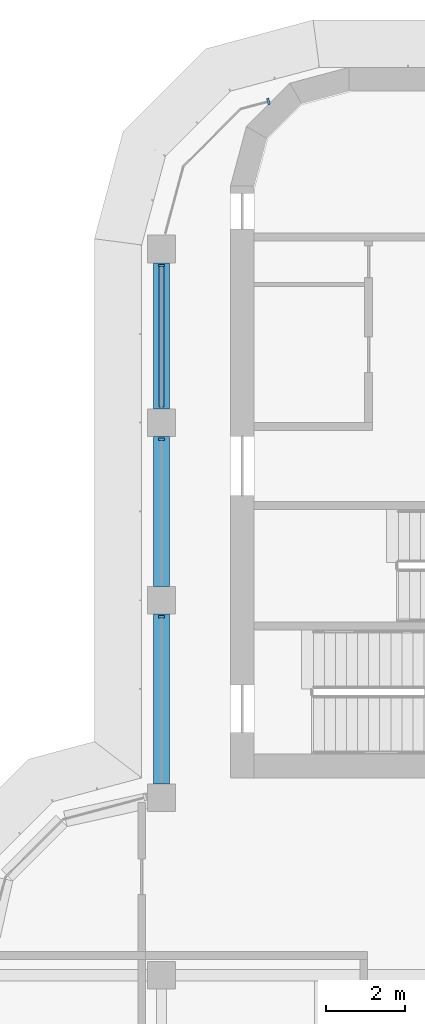
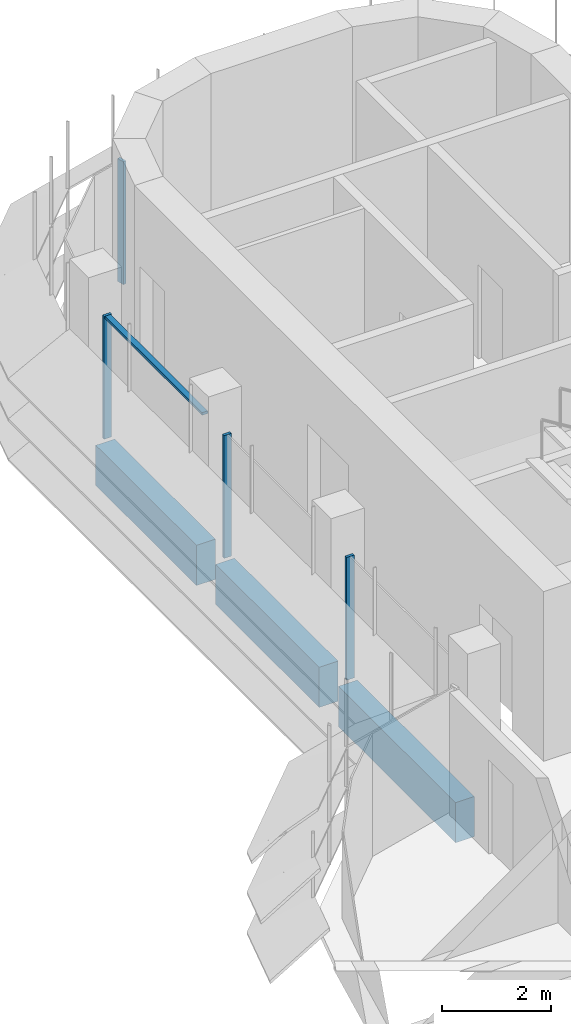
# One storey, part 7 of 19: 5 members, 3 beams, 2 elements without a shape of their own.
"""IFC4 building model written with IfcOpenShell, lengths in metres."""

from ifc_helpers import new_model, si_unit, direction, frame, origin, origin_2d, place, context, subcontext, project, spatial, polyline, rectangle, outline, extrude, source, transform, mapped, material, material_profile, profile_set, type_object, element, aggregate, save


model = new_model("IFC4")

# Units and contexts
model_context = context("Model", 3, precision=1e-05, world=origin(), true_north=direction((0.0, 1.0)))
body_context = subcontext(model_context, "Body", "Model", "MODEL_VIEW")
ifc_project = project(units=[si_unit("LENGTHUNIT", "METRE"), si_unit("AREAUNIT", "SQUARE_METRE"), si_unit("VOLUMEUNIT", "CUBIC_METRE"), si_unit("PLANEANGLEUNIT", "RADIAN"), si_unit("MASSUNIT", "GRAM", prefix="KILO")], contexts=[model_context])

# Site, building, storey
site_placement = place(None, origin())
site = spatial("IfcSite", under=ifc_project, at=site_placement, CompositionType="ELEMENT")
building_placement = place(site_placement, origin())
building = spatial("IfcBuilding", under=site, at=building_placement, Name="Zarbagh Exchange Tower", CompositionType="ELEMENT")
storey_placement = place(building_placement, frame((0.0, 0.0, 241.0)))
storey = spatial("IfcBuildingStorey", under=building, at=storey_placement, Name="L59", CompositionType="ELEMENT", Elevation=241.0)

# Beams
ifc_material_1 = material(Name="Concrete C50/60", Category="concrete")
ifc_material_profile = material_profile(ifc_material_1, rectangle(XDim=0.39990234375, YDim=0.89990234375, at=origin_2d()), Name="RC spandrel beam 400 x 900 C50/60")
ifc_profile_set = profile_set([ifc_material_profile], Name="Concrete C50/60")
beam_type = type_object("IfcBeamType", Name="RC spandrel beam 400 x 900 C50/60", PredefinedType="SPANDREL", material=ifc_profile_set)
beam_1_placement = place(storey_placement, frame((-6.25, 11.10009765625, -0.60009765625), z_axis=(0.0, 1.0, 0.0), x_axis=(-1.0, 0.0, 0.0)))
element("IfcBeam", 1, at=beam_1_placement, inside=storey, type_object=beam_type, Name="RC spandrel beam", PredefinedType="SPANDREL", context=body_context, shape_type="SweptSolid", body=[
    extrude(rectangle(XDim=0.39990234375, YDim=0.89990234375, at=origin_2d()), origin(), (0.0, 0.0, 1.0), 4.2998046875),
])
beam_2_placement = place(storey_placement, frame((-6.25, 16.10009765625, -0.60009765625), z_axis=(0.0, 1.0, 0.0), x_axis=(-1.0, 0.0, 0.0)))
element("IfcBeam", 2, at=beam_2_placement, inside=storey, type_object=beam_type, Name="RC spandrel beam", PredefinedType="SPANDREL", context=body_context, shape_type="SweptSolid", body=[
    extrude(rectangle(XDim=0.39990234375, YDim=0.89990234375, at=origin_2d()), origin(), (0.0, 0.0, 1.0), 3.7998046875),
])
beam_3_placement = place(storey_placement, frame((-6.25, 20.60009765625, -0.60009765625), z_axis=(0.0, 1.0, 0.0), x_axis=(-1.0, 0.0, 0.0)))
element("IfcBeam", 3, at=beam_3_placement, inside=storey, type_object=beam_type, Name="RC spandrel beam", PredefinedType="SPANDREL", context=body_context, shape_type="SweptSolid", body=[
    extrude(rectangle(XDim=0.39990234375, YDim=0.89990234375, at=origin_2d()), origin(), (0.0, 0.0, 1.0), 3.699951171875),
])

# Curtain wall, member
ifc_material_2 = material(Name="Anodised aluminium frame and glazing", Category="aluminium")
curtain_wall_type = type_object("IfcCurtainWallType", Name="CWB Ribbon glazing, upper zones", PredefinedType="NOTDEFINED", material=ifc_material_2)
curtain_wall_1_placement = place(storey_placement, origin())
curtain_wall_1 = element("IfcCurtainWall", 4, at=curtain_wall_1_placement, inside=storey, type_object=curtain_wall_type, Name="CWB70 curtain wall", PredefinedType="NOTDEFINED")
ifc_material_3 = material(Name="Anodised aluminium frame", Category="aluminium")
member_type_1 = type_object("IfcMemberType", Name="MUB Mullion, anodised aluminium frame", PredefinedType="MULLION", material=ifc_material_3)
shared_shape_1 = source(origin(), body_context, "Body", "SweptSolid", [
    extrude(outline(polyline([(0.0, -0.080078125), (0.06005859375, -0.080078125), (0.06005859375, 0.080078125), (0.0, 0.080078125), (0.0, -0.080078125)])), origin(), (0.0, 0.0, 1.0), 2.75),
])
placement = place(storey_placement, origin())
member_1 = element("IfcMember", 5, at=placement, type_object=member_type_1, Name="CWB70 mullion 1.1", PredefinedType="MULLION", context=body_context, shape_type="MappedRepresentation", body=[
    mapped(shared_shape_1, transform((-3.510009765625, 28.394775390625, 0.0), x_axis=(-0.965924289636, -0.258824779902, 0.0), y_axis=(0.258824779902, -0.965924289636, 0.0), z_axis=(0.0, 0.0, 1.0))),
])
aggregate(curtain_wall_1, [member_1])

# Curtain wall, members
curtain_wall_2_placement = place(storey_placement, origin())
curtain_wall_2 = element("IfcCurtainWall", 6, at=curtain_wall_2_placement, inside=storey, type_object=curtain_wall_type, Name="CWB73 curtain wall", PredefinedType="NOTDEFINED")
member_2 = element("IfcMember", 7, at=placement, type_object=member_type_1, Name="CWB73 mullion 1.1", PredefinedType="MULLION", context=body_context, shape_type="MappedRepresentation", body=[
    mapped(shared_shape_1, transform((-6.25, 24.260009765625, 0.0), x_axis=(0.0, -1.0, 0.0), y_axis=(1.0, 0.0, 0.0), z_axis=(0.0, 0.0, 1.0))),
])
member_3 = element("IfcMember", 8, at=placement, type_object=member_type_1, Name="CWB73 mullion 2.1", PredefinedType="MULLION", context=body_context, shape_type="MappedRepresentation", body=[
    mapped(shared_shape_1, transform((-6.25, 19.85986328125, 0.0), x_axis=(0.0, -1.0, 0.0), y_axis=(1.0, 0.0, 0.0), z_axis=(0.0, 0.0, 1.0))),
])
member_4 = element("IfcMember", 9, at=placement, type_object=member_type_1, Name="CWB73 mullion 3.1", PredefinedType="MULLION", context=body_context, shape_type="MappedRepresentation", body=[
    mapped(shared_shape_1, transform((-6.25, 15.35986328125, 0.0), x_axis=(0.0, -1.0, 0.0), y_axis=(1.0, 0.0, 0.0), z_axis=(0.0, 0.0, 1.0))),
])
member_type_2 = type_object("IfcMemberType", Name="TRB Transom, anodised aluminium frame", PredefinedType="USERDEFINED", material=ifc_material_3)
shared_shape_2 = source(origin(), body_context, "Body", "SweptSolid", [
    extrude(outline(polyline([(-0.06005859375, -0.06005859375), (0.0, -0.06005859375), (0.0, 0.06005859375), (-0.06005859375, 0.06005859375), (-0.06005859375, -0.06005859375)])), origin(), (0.0, 0.0, 1.0), 3.56005859375),
])
member_5 = element("IfcMember", 10, at=placement, type_object=member_type_2, Name="CWB73 transom 1.1", ObjectType="TRANSOM", PredefinedType="USERDEFINED", context=body_context, shape_type="MappedRepresentation", body=[
    mapped(shared_shape_2, transform((-6.25, 24.199951171875, 2.75), x_axis=(0.0, 0.0, 1.0), y_axis=(-1.0, 0.0, 0.0), z_axis=(0.0, -1.0, 0.0))),
])
aggregate(curtain_wall_2, [member_2, member_5, member_3, member_4])

save(model, "model.ifc")
